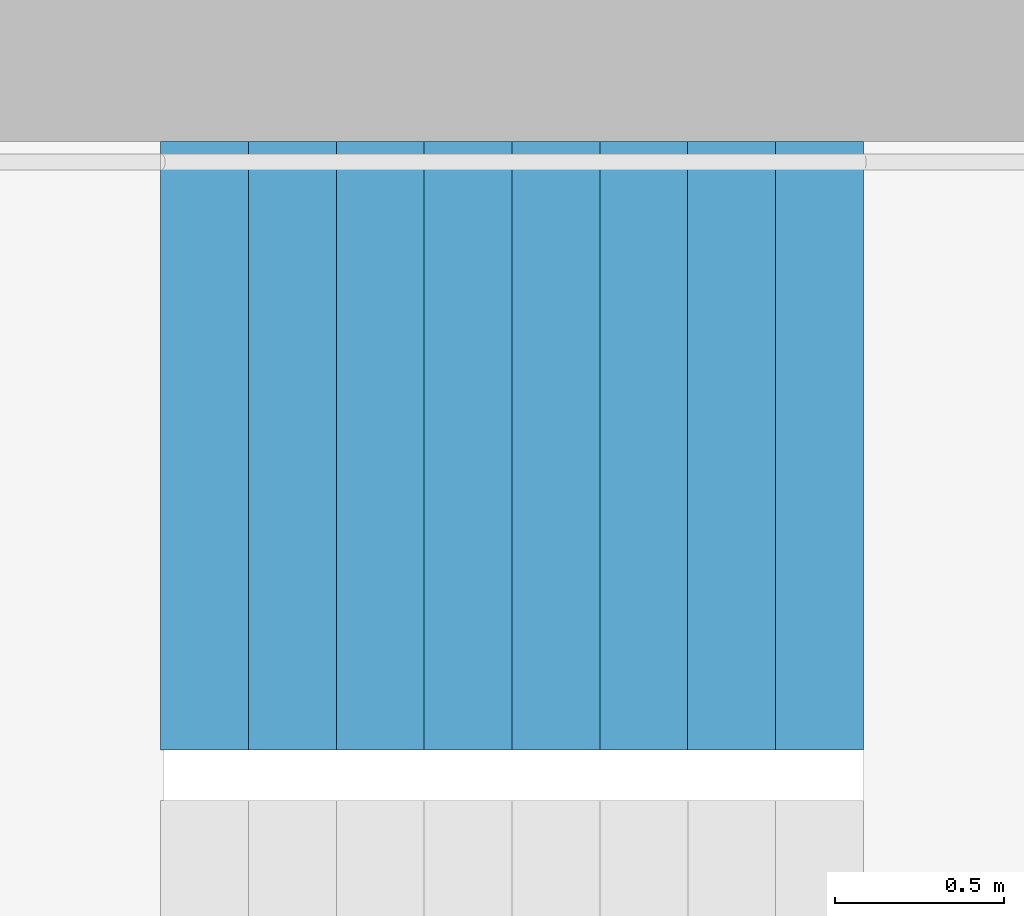
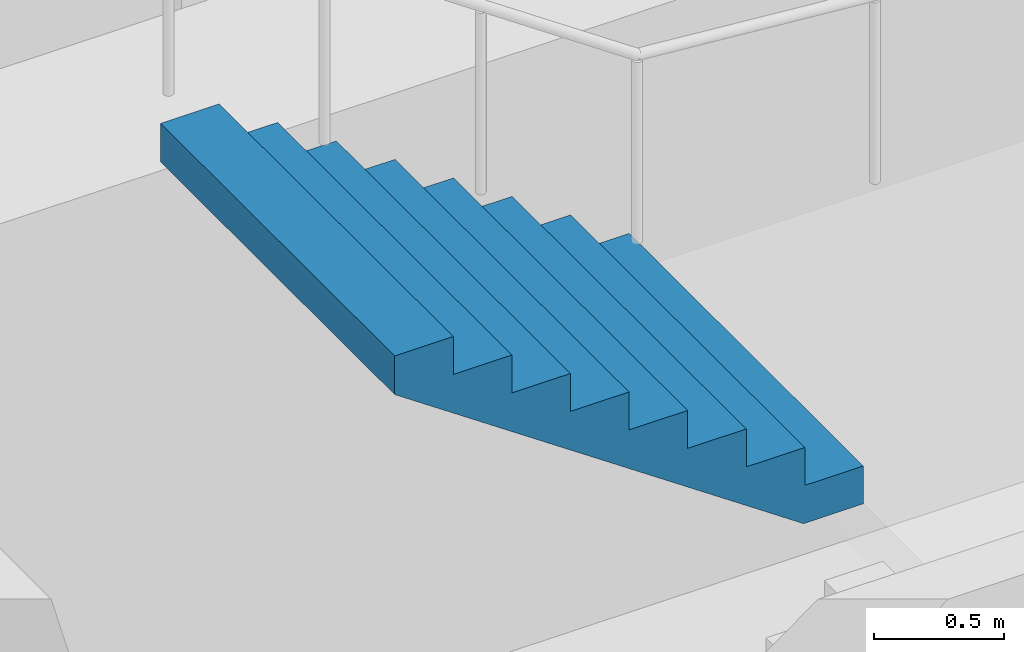
# One storey, part 24 of 29: 1 stair flight, 1 element without a shape of its own.
"""IFC4 building model written with IfcOpenShell, lengths in metres."""

from ifc_helpers import new_model, si_unit, direction, frame, origin, place, context, subcontext, project, spatial, triangles, material, type_object, element, aggregate, save


model = new_model("IFC4")

# Units and contexts
model_context = context("Model", 3, precision=1e-05, world=origin(), true_north=direction((0.0, 1.0)))
body_context = subcontext(model_context, "Body", "Model", "MODEL_VIEW")
ifc_project = project(units=[si_unit("LENGTHUNIT", "METRE"), si_unit("AREAUNIT", "SQUARE_METRE"), si_unit("VOLUMEUNIT", "CUBIC_METRE"), si_unit("PLANEANGLEUNIT", "RADIAN"), si_unit("MASSUNIT", "GRAM", prefix="KILO")], contexts=[model_context])

# Site, building, storey
site_placement = place(None, origin())
site = spatial("IfcSite", under=ifc_project, at=site_placement, CompositionType="ELEMENT")
building_placement = place(site_placement, origin())
building = spatial("IfcBuilding", under=site, at=building_placement, Name="Hakoniwa Tower and Hamabe Station Hall", CompositionType="ELEMENT")
storey_placement = place(building_placement, frame((0.0, 0.0, 75.39990234375)))
storey = spatial("IfcBuildingStorey", under=building, at=storey_placement, Name="L20", CompositionType="ELEMENT", Elevation=75.39990234375)

# Stair, stair flight
ifc_material_1 = material(Name="Concrete C40", Category="concrete")
stair_type = type_object("IfcStairType", Name="ESCAPE STAIR 1800", PredefinedType="HALF_TURN_STAIR", material=ifc_material_1)
stair_placement = place(storey_placement, origin())
stair = element("IfcStair", 1, at=stair_placement, inside=storey, type_object=stair_type, Name="Escape stair ST-1 L20", PredefinedType="HALF_TURN_STAIR")
ifc_material_2 = material(Name="Concrete C40", Category="concrete")
stair_flight_type = type_object("IfcStairFlightType", Name="STAIR FLIGHT 1800", PredefinedType="STRAIGHT", material=ifc_material_2)
stair_flight_placement = place(storey_placement, frame((-22.320068359375, 6.60009765625, 1.60009765625), z_axis=(0.0, 0.0, 1.0), x_axis=(-1.0, 0.0, 0.0)))
stair_flight = element("IfcStairFlight", 2, at=stair_flight_placement, type_object=stair_flight_type, Name="ST-1 flight 2", NumberOfRisers=9, NumberOfTreads=8, PredefinedType="STRAIGHT", RiserHeight=0.177777778, TreadLength=0.26, context=body_context, shape_type="Tessellation", body=[
    triangles([(0.0, 0.89990234375, 0.0), (0.260009765625, 0.89990234375, 0.0), (0.265625, 0.89990234375, 0.0), (0.52001953125, 0.89990234375, 0.174072265625), (0.780029296875, 0.89990234375, 0.351806640625), (1.0400390625, 0.89990234375, 0.529541015625), (1.300048828125, 0.89990234375, 0.707275390625), (1.56005859375, 0.89990234375, 0.885009765625), (1.820068359375, 0.89990234375, 1.062744140625), (2.080078125, 0.89990234375, 1.24072265625), (2.080078125, 0.89990234375, 1.422119140625), (1.820068359375, 0.89990234375, 1.422119140625), (1.820068359375, 0.89990234375, 1.244384765625), (1.56005859375, 0.89990234375, 1.244384765625), (1.56005859375, 0.89990234375, 1.066650390625), (1.300048828125, 0.89990234375, 1.066650390625), (1.300048828125, 0.89990234375, 0.888916015625), (1.0400390625, 0.89990234375, 0.888916015625), (1.0400390625, 0.89990234375, 0.711181640625), (0.780029296875, 0.89990234375, 0.711181640625), (0.780029296875, 0.89990234375, 0.533447265625), (0.52001953125, 0.89990234375, 0.533447265625), (0.52001953125, 0.89990234375, 0.35546875), (0.265625, 0.89990234375, 0.35546875), (0.260009765625, 0.89990234375, 0.35546875), (0.260009765625, 0.89990234375, 0.177734375), (0.0, 0.89990234375, 0.177734375), (0.0, 0.06005859375, 0.0), (0.260009765625, 0.06005859375, 0.0), (0.265625, 0.06005859375, 0.0), (0.52001953125, 0.06005859375, 0.174072265625), (0.780029296875, 0.06005859375, 0.351806640625), (1.0400390625, 0.06005859375, 0.529541015625), (1.300048828125, 0.06005859375, 0.707275390625), (1.56005859375, 0.06005859375, 0.885009765625), (1.820068359375, 0.06005859375, 1.062744140625), (2.080078125, 0.06005859375, 1.24072265625), (2.080078125, 0.06005859375, 1.422119140625), (1.820068359375, 0.06005859375, 1.422119140625), (1.820068359375, 0.06005859375, 1.244384765625), (1.56005859375, 0.06005859375, 1.244384765625), (1.56005859375, 0.06005859375, 1.066650390625), (1.300048828125, 0.06005859375, 1.066650390625), (1.300048828125, 0.06005859375, 0.888916015625), (1.0400390625, 0.06005859375, 0.888916015625), (1.0400390625, 0.06005859375, 0.711181640625), (0.780029296875, 0.06005859375, 0.711181640625), (0.780029296875, 0.06005859375, 0.533447265625), (0.52001953125, 0.06005859375, 0.533447265625), (0.52001953125, 0.06005859375, 0.35546875), (0.265625, 0.06005859375, 0.35546875), (0.260009765625, 0.06005859375, 0.35546875), (0.260009765625, 0.06005859375, 0.177734375), (0.0, 0.06005859375, 0.177734375), (0.0, 0.04296875, 0.0), (0.260009765625, 0.04296875, 0.0), (0.265625, 0.04296875, 0.0), (0.52001953125, 0.04296875, 0.174072265625), (0.780029296875, 0.04296875, 0.351806640625), (1.0400390625, 0.04296875, 0.529541015625), (1.300048828125, 0.04296875, 0.707275390625), (1.56005859375, 0.04296875, 0.885009765625), (1.820068359375, 0.04296875, 1.062744140625), (2.080078125, 0.04296875, 1.24072265625), (2.080078125, 0.04296875, 1.422119140625), (1.820068359375, 0.04296875, 1.422119140625), (1.820068359375, 0.04296875, 1.244384765625), (1.56005859375, 0.04296875, 1.244384765625), (1.56005859375, 0.04296875, 1.066650390625), (1.300048828125, 0.04296875, 1.066650390625), (1.300048828125, 0.04296875, 0.888916015625), (1.0400390625, 0.04296875, 0.888916015625), (1.0400390625, 0.04296875, 0.711181640625), (0.780029296875, 0.04296875, 0.711181640625), (0.780029296875, 0.04296875, 0.533447265625), (0.52001953125, 0.04296875, 0.533447265625), (0.52001953125, 0.04296875, 0.35546875), (0.265625, 0.04296875, 0.35546875), (0.260009765625, 0.04296875, 0.35546875), (0.260009765625, 0.04296875, 0.177734375), (0.0, 0.04296875, 0.177734375), (0.0, 0.025634765625, 0.0), (0.260009765625, 0.025634765625, 0.0), (0.265625, 0.025634765625, 0.0), (0.52001953125, 0.025634765625, 0.174072265625), (0.780029296875, 0.025634765625, 0.351806640625), (1.0400390625, 0.025634765625, 0.529541015625), (1.300048828125, 0.025634765625, 0.707275390625), (1.56005859375, 0.025634765625, 0.885009765625), (1.820068359375, 0.025634765625, 1.062744140625), (2.080078125, 0.025634765625, 1.24072265625), (2.080078125, 0.025634765625, 1.422119140625), (1.820068359375, 0.025634765625, 1.422119140625), (1.820068359375, 0.025634765625, 1.244384765625), (1.56005859375, 0.025634765625, 1.244384765625), (1.56005859375, 0.025634765625, 1.066650390625), (1.300048828125, 0.025634765625, 1.066650390625), (1.300048828125, 0.025634765625, 0.888916015625), (1.0400390625, 0.025634765625, 0.888916015625), (1.0400390625, 0.025634765625, 0.711181640625), (0.780029296875, 0.025634765625, 0.711181640625), (0.780029296875, 0.025634765625, 0.533447265625), (0.52001953125, 0.025634765625, 0.533447265625), (0.52001953125, 0.025634765625, 0.35546875), (0.265625, 0.025634765625, 0.35546875), (0.260009765625, 0.025634765625, 0.35546875), (0.260009765625, 0.025634765625, 0.177734375), (0.0, 0.025634765625, 0.177734375), (0.0, 0.008544921875, 0.0), (0.260009765625, 0.008544921875, 0.0), (0.265625, 0.008544921875, 0.0), (0.52001953125, 0.008544921875, 0.174072265625), (0.780029296875, 0.008544921875, 0.351806640625), (1.0400390625, 0.008544921875, 0.529541015625), (1.300048828125, 0.008544921875, 0.707275390625), (1.56005859375, 0.008544921875, 0.885009765625), (1.820068359375, 0.008544921875, 1.062744140625), (2.080078125, 0.008544921875, 1.24072265625), (2.080078125, 0.008544921875, 1.422119140625), (1.820068359375, 0.008544921875, 1.422119140625), (1.820068359375, 0.008544921875, 1.244384765625), (1.56005859375, 0.008544921875, 1.244384765625), (1.56005859375, 0.008544921875, 1.066650390625), (1.300048828125, 0.008544921875, 1.066650390625), (1.300048828125, 0.008544921875, 0.888916015625), (1.0400390625, 0.008544921875, 0.888916015625), (1.0400390625, 0.008544921875, 0.711181640625), (0.780029296875, 0.008544921875, 0.711181640625), (0.780029296875, 0.008544921875, 0.533447265625), (0.52001953125, 0.008544921875, 0.533447265625), (0.52001953125, 0.008544921875, 0.35546875), (0.265625, 0.008544921875, 0.35546875), (0.260009765625, 0.008544921875, 0.35546875), (0.260009765625, 0.008544921875, 0.177734375), (0.0, 0.008544921875, 0.177734375), (0.0, -0.008544921875, 0.0), (0.260009765625, -0.008544921875, 0.0), (0.265625, -0.008544921875, 0.0), (0.52001953125, -0.008544921875, 0.174072265625), (0.780029296875, -0.008544921875, 0.351806640625), (1.0400390625, -0.008544921875, 0.529541015625), (1.300048828125, -0.008544921875, 0.707275390625), (1.56005859375, -0.008544921875, 0.885009765625), (1.820068359375, -0.008544921875, 1.062744140625), (2.080078125, -0.008544921875, 1.24072265625), (2.080078125, -0.008544921875, 1.422119140625), (1.820068359375, -0.008544921875, 1.422119140625), (1.820068359375, -0.008544921875, 1.244384765625), (1.56005859375, -0.008544921875, 1.244384765625), (1.56005859375, -0.008544921875, 1.066650390625), (1.300048828125, -0.008544921875, 1.066650390625), (1.300048828125, -0.008544921875, 0.888916015625), (1.0400390625, -0.008544921875, 0.888916015625), (1.0400390625, -0.008544921875, 0.711181640625), (0.780029296875, -0.008544921875, 0.711181640625), (0.780029296875, -0.008544921875, 0.533447265625), (0.52001953125, -0.008544921875, 0.533447265625), (0.52001953125, -0.008544921875, 0.35546875), (0.265625, -0.008544921875, 0.35546875), (0.260009765625, -0.008544921875, 0.35546875), (0.260009765625, -0.008544921875, 0.177734375), (0.0, -0.008544921875, 0.177734375), (0.0, -0.025634765625, 0.0), (0.260009765625, -0.025634765625, 0.0), (0.265625, -0.025634765625, 0.0), (0.52001953125, -0.025634765625, 0.174072265625), (0.780029296875, -0.025634765625, 0.351806640625), (1.0400390625, -0.025634765625, 0.529541015625), (1.300048828125, -0.025634765625, 0.707275390625), (1.56005859375, -0.025634765625, 0.885009765625), (1.820068359375, -0.025634765625, 1.062744140625), (2.080078125, -0.025634765625, 1.24072265625), (2.080078125, -0.025634765625, 1.422119140625), (1.820068359375, -0.025634765625, 1.422119140625), (1.820068359375, -0.025634765625, 1.244384765625), (1.56005859375, -0.025634765625, 1.244384765625), (1.56005859375, -0.025634765625, 1.066650390625), (1.300048828125, -0.025634765625, 1.066650390625), (1.300048828125, -0.025634765625, 0.888916015625), (1.0400390625, -0.025634765625, 0.888916015625), (1.0400390625, -0.025634765625, 0.711181640625), (0.780029296875, -0.025634765625, 0.711181640625), (0.780029296875, -0.025634765625, 0.533447265625), (0.52001953125, -0.025634765625, 0.533447265625), (0.52001953125, -0.025634765625, 0.35546875), (0.265625, -0.025634765625, 0.35546875), (0.260009765625, -0.025634765625, 0.35546875), (0.260009765625, -0.025634765625, 0.177734375), (0.0, -0.025634765625, 0.177734375), (0.0, -0.04296875, 0.0), (0.260009765625, -0.04296875, 0.0), (0.265625, -0.04296875, 0.0), (0.52001953125, -0.04296875, 0.174072265625), (0.780029296875, -0.04296875, 0.351806640625), (1.0400390625, -0.04296875, 0.529541015625), (1.300048828125, -0.04296875, 0.707275390625), (1.56005859375, -0.04296875, 0.885009765625), (1.820068359375, -0.04296875, 1.062744140625), (2.080078125, -0.04296875, 1.24072265625), (2.080078125, -0.04296875, 1.422119140625), (1.820068359375, -0.04296875, 1.422119140625), (1.820068359375, -0.04296875, 1.244384765625), (1.56005859375, -0.04296875, 1.244384765625), (1.56005859375, -0.04296875, 1.066650390625), (1.300048828125, -0.04296875, 1.066650390625), (1.300048828125, -0.04296875, 0.888916015625), (1.0400390625, -0.04296875, 0.888916015625), (1.0400390625, -0.04296875, 0.711181640625), (0.780029296875, -0.04296875, 0.711181640625), (0.780029296875, -0.04296875, 0.533447265625), (0.52001953125, -0.04296875, 0.533447265625), (0.52001953125, -0.04296875, 0.35546875), (0.265625, -0.04296875, 0.35546875), (0.260009765625, -0.04296875, 0.35546875), (0.260009765625, -0.04296875, 0.177734375), (0.0, -0.04296875, 0.177734375), (0.0, -0.06005859375, 0.0), (0.260009765625, -0.06005859375, 0.0), (0.265625, -0.06005859375, 0.0), (0.52001953125, -0.06005859375, 0.174072265625), (0.780029296875, -0.06005859375, 0.351806640625), (1.0400390625, -0.06005859375, 0.529541015625), (1.300048828125, -0.06005859375, 0.707275390625), (1.56005859375, -0.06005859375, 0.885009765625), (1.820068359375, -0.06005859375, 1.062744140625), (2.080078125, -0.06005859375, 1.24072265625), (2.080078125, -0.06005859375, 1.422119140625), (1.820068359375, -0.06005859375, 1.422119140625), (1.820068359375, -0.06005859375, 1.244384765625), (1.56005859375, -0.06005859375, 1.244384765625), (1.56005859375, -0.06005859375, 1.066650390625), (1.300048828125, -0.06005859375, 1.066650390625), (1.300048828125, -0.06005859375, 0.888916015625), (1.0400390625, -0.06005859375, 0.888916015625), (1.0400390625, -0.06005859375, 0.711181640625), (0.780029296875, -0.06005859375, 0.711181640625), (0.780029296875, -0.06005859375, 0.533447265625), (0.52001953125, -0.06005859375, 0.533447265625), (0.52001953125, -0.06005859375, 0.35546875), (0.265625, -0.06005859375, 0.35546875), (0.260009765625, -0.06005859375, 0.35546875), (0.260009765625, -0.06005859375, 0.177734375), (0.0, -0.06005859375, 0.177734375), (0.0, -0.89990234375, 0.0), (0.260009765625, -0.89990234375, 0.0), (0.265625, -0.89990234375, 0.0), (0.52001953125, -0.89990234375, 0.174072265625), (0.780029296875, -0.89990234375, 0.351806640625), (1.0400390625, -0.89990234375, 0.529541015625), (1.300048828125, -0.89990234375, 0.707275390625), (1.56005859375, -0.89990234375, 0.885009765625), (1.820068359375, -0.89990234375, 1.062744140625), (2.080078125, -0.89990234375, 1.24072265625), (2.080078125, -0.89990234375, 1.422119140625), (1.820068359375, -0.89990234375, 1.422119140625), (1.820068359375, -0.89990234375, 1.244384765625), (1.56005859375, -0.89990234375, 1.244384765625), (1.56005859375, -0.89990234375, 1.066650390625), (1.300048828125, -0.89990234375, 1.066650390625), (1.300048828125, -0.89990234375, 0.888916015625), (1.0400390625, -0.89990234375, 0.888916015625), (1.0400390625, -0.89990234375, 0.711181640625), (0.780029296875, -0.89990234375, 0.711181640625), (0.780029296875, -0.89990234375, 0.533447265625), (0.52001953125, -0.89990234375, 0.533447265625), (0.52001953125, -0.89990234375, 0.35546875), (0.265625, -0.89990234375, 0.35546875), (0.260009765625, -0.89990234375, 0.35546875), (0.260009765625, -0.89990234375, 0.177734375), (0.0, -0.89990234375, 0.177734375)], [[2, 27, 26], [245, 269, 270], [2, 1, 27], [245, 270, 244], [3, 25, 24], [246, 267, 268], [3, 26, 25], [246, 268, 269], [3, 2, 26], [246, 269, 245], [4, 24, 23], [247, 266, 267], [4, 3, 24], [247, 267, 246], [5, 22, 21], [248, 264, 265], [5, 23, 22], [248, 265, 266], [5, 4, 23], [248, 266, 247], [6, 20, 19], [249, 262, 263], [6, 21, 20], [249, 263, 264], [6, 5, 21], [249, 264, 248], [7, 18, 17], [250, 260, 261], [7, 19, 18], [250, 261, 262], [7, 6, 19], [250, 262, 249], [8, 16, 15], [251, 258, 259], [8, 17, 16], [251, 259, 260], [8, 7, 17], [251, 260, 250], [9, 14, 13], [252, 256, 257], [9, 15, 14], [252, 257, 258], [9, 8, 15], [252, 258, 251], [10, 12, 11], [253, 254, 255], [10, 13, 12], [253, 255, 256], [10, 9, 13], [253, 256, 252], [1, 2, 29], [1, 29, 28], [28, 29, 56], [28, 56, 55], [55, 56, 83], [55, 83, 82], [82, 83, 110], [82, 110, 109], [109, 110, 137], [109, 137, 136], [136, 137, 164], [136, 164, 163], [163, 164, 191], [163, 191, 190], [190, 191, 218], [190, 218, 217], [217, 218, 245], [217, 245, 244], [2, 3, 30], [2, 30, 29], [29, 30, 57], [29, 57, 56], [56, 57, 84], [56, 84, 83], [83, 84, 111], [83, 111, 110], [110, 111, 138], [110, 138, 137], [137, 138, 165], [137, 165, 164], [164, 165, 192], [164, 192, 191], [191, 192, 219], [191, 219, 218], [218, 219, 246], [218, 246, 245], [3, 4, 31], [3, 31, 30], [30, 31, 58], [30, 58, 57], [57, 58, 85], [57, 85, 84], [84, 85, 112], [84, 112, 111], [111, 112, 139], [111, 139, 138], [138, 139, 166], [138, 166, 165], [165, 166, 193], [165, 193, 192], [192, 193, 220], [192, 220, 219], [219, 220, 247], [219, 247, 246], [4, 5, 32], [4, 32, 31], [31, 32, 59], [31, 59, 58], [58, 59, 86], [58, 86, 85], [85, 86, 113], [85, 113, 112], [112, 113, 140], [112, 140, 139], [139, 140, 167], [139, 167, 166], [166, 167, 194], [166, 194, 193], [193, 194, 221], [193, 221, 220], [220, 221, 248], [220, 248, 247], [5, 6, 33], [5, 33, 32], [32, 33, 60], [32, 60, 59], [59, 60, 87], [59, 87, 86], [86, 87, 114], [86, 114, 113], [113, 114, 141], [113, 141, 140], [140, 141, 168], [140, 168, 167], [167, 168, 195], [167, 195, 194], [194, 195, 222], [194, 222, 221], [221, 222, 249], [221, 249, 248], [6, 7, 34], [6, 34, 33], [33, 34, 61], [33, 61, 60], [60, 61, 88], [60, 88, 87], [87, 88, 115], [87, 115, 114], [114, 115, 142], [114, 142, 141], [141, 142, 169], [141, 169, 168], [168, 169, 196], [168, 196, 195], [195, 196, 223], [195, 223, 222], [222, 223, 250], [222, 250, 249], [7, 8, 35], [7, 35, 34], [34, 35, 62], [34, 62, 61], [61, 62, 89], [61, 89, 88], [88, 89, 116], [88, 116, 115], [115, 116, 143], [115, 143, 142], [142, 143, 170], [142, 170, 169], [169, 170, 197], [169, 197, 196], [196, 197, 224], [196, 224, 223], [223, 224, 251], [223, 251, 250], [8, 9, 36], [8, 36, 35], [35, 36, 63], [35, 63, 62], [62, 63, 90], [62, 90, 89], [89, 90, 117], [89, 117, 116], [116, 117, 144], [116, 144, 143], [143, 144, 171], [143, 171, 170], [170, 171, 198], [170, 198, 197], [197, 198, 225], [197, 225, 224], [224, 225, 252], [224, 252, 251], [9, 10, 37], [9, 37, 36], [36, 37, 64], [36, 64, 63], [63, 64, 91], [63, 91, 90], [90, 91, 118], [90, 118, 117], [117, 118, 145], [117, 145, 144], [144, 145, 172], [144, 172, 171], [171, 172, 199], [171, 199, 198], [198, 199, 226], [198, 226, 225], [225, 226, 253], [225, 253, 252], [10, 11, 38], [10, 38, 37], [37, 38, 65], [37, 65, 64], [64, 65, 92], [64, 92, 91], [91, 92, 119], [91, 119, 118], [118, 119, 146], [118, 146, 145], [145, 146, 173], [145, 173, 172], [172, 173, 200], [172, 200, 199], [199, 200, 227], [199, 227, 226], [226, 227, 254], [226, 254, 253], [11, 12, 39], [11, 39, 38], [38, 39, 66], [38, 66, 65], [65, 66, 93], [65, 93, 92], [92, 93, 120], [92, 120, 119], [119, 120, 147], [119, 147, 146], [146, 147, 174], [146, 174, 173], [173, 174, 201], [173, 201, 200], [200, 201, 228], [200, 228, 227], [227, 228, 255], [227, 255, 254], [12, 13, 40], [12, 40, 39], [39, 40, 67], [39, 67, 66], [66, 67, 94], [66, 94, 93], [93, 94, 121], [93, 121, 120], [120, 121, 148], [120, 148, 147], [147, 148, 175], [147, 175, 174], [174, 175, 202], [174, 202, 201], [201, 202, 229], [201, 229, 228], [228, 229, 256], [228, 256, 255], [13, 14, 41], [13, 41, 40], [40, 41, 68], [40, 68, 67], [67, 68, 95], [67, 95, 94], [94, 95, 122], [94, 122, 121], [121, 122, 149], [121, 149, 148], [148, 149, 176], [148, 176, 175], [175, 176, 203], [175, 203, 202], [202, 203, 230], [202, 230, 229], [229, 230, 257], [229, 257, 256], [14, 15, 42], [14, 42, 41], [41, 42, 69], [41, 69, 68], [68, 69, 96], [68, 96, 95], [95, 96, 123], [95, 123, 122], [122, 123, 150], [122, 150, 149], [149, 150, 177], [149, 177, 176], [176, 177, 204], [176, 204, 203], [203, 204, 231], [203, 231, 230], [230, 231, 258], [230, 258, 257], [15, 16, 43], [15, 43, 42], [42, 43, 70], [42, 70, 69], [69, 70, 97], [69, 97, 96], [96, 97, 124], [96, 124, 123], [123, 124, 151], [123, 151, 150], [150, 151, 178], [150, 178, 177], [177, 178, 205], [177, 205, 204], [204, 205, 232], [204, 232, 231], [231, 232, 259], [231, 259, 258], [16, 17, 44], [16, 44, 43], [43, 44, 71], [43, 71, 70], [70, 71, 98], [70, 98, 97], [97, 98, 125], [97, 125, 124], [124, 125, 152], [124, 152, 151], [151, 152, 179], [151, 179, 178], [178, 179, 206], [178, 206, 205], [205, 206, 233], [205, 233, 232], [232, 233, 260], [232, 260, 259], [17, 18, 45], [17, 45, 44], [44, 45, 72], [44, 72, 71], [71, 72, 99], [71, 99, 98], [98, 99, 126], [98, 126, 125], [125, 126, 153], [125, 153, 152], [152, 153, 180], [152, 180, 179], [179, 180, 207], [179, 207, 206], [206, 207, 234], [206, 234, 233], [233, 234, 261], [233, 261, 260], [18, 19, 46], [18, 46, 45], [45, 46, 73], [45, 73, 72], [72, 73, 100], [72, 100, 99], [99, 100, 127], [99, 127, 126], [126, 127, 154], [126, 154, 153], [153, 154, 181], [153, 181, 180], [180, 181, 208], [180, 208, 207], [207, 208, 235], [207, 235, 234], [234, 235, 262], [234, 262, 261], [19, 20, 47], [19, 47, 46], [46, 47, 74], [46, 74, 73], [73, 74, 101], [73, 101, 100], [100, 101, 128], [100, 128, 127], [127, 128, 155], [127, 155, 154], [154, 155, 182], [154, 182, 181], [181, 182, 209], [181, 209, 208], [208, 209, 236], [208, 236, 235], [235, 236, 263], [235, 263, 262], [20, 21, 48], [20, 48, 47], [47, 48, 75], [47, 75, 74], [74, 75, 102], [74, 102, 101], [101, 102, 129], [101, 129, 128], [128, 129, 156], [128, 156, 155], [155, 156, 183], [155, 183, 182], [182, 183, 210], [182, 210, 209], [209, 210, 237], [209, 237, 236], [236, 237, 264], [236, 264, 263], [21, 22, 49], [21, 49, 48], [48, 49, 76], [48, 76, 75], [75, 76, 103], [75, 103, 102], [102, 103, 130], [102, 130, 129], [129, 130, 157], [129, 157, 156], [156, 157, 184], [156, 184, 183], [183, 184, 211], [183, 211, 210], [210, 211, 238], [210, 238, 237], [237, 238, 265], [237, 265, 264], [22, 23, 50], [22, 50, 49], [49, 50, 77], [49, 77, 76], [76, 77, 104], [76, 104, 103], [103, 104, 131], [103, 131, 130], [130, 131, 158], [130, 158, 157], [157, 158, 185], [157, 185, 184], [184, 185, 212], [184, 212, 211], [211, 212, 239], [211, 239, 238], [238, 239, 266], [238, 266, 265], [23, 24, 51], [23, 51, 50], [50, 51, 78], [50, 78, 77], [77, 78, 105], [77, 105, 104], [104, 105, 132], [104, 132, 131], [131, 132, 159], [131, 159, 158], [158, 159, 186], [158, 186, 185], [185, 186, 213], [185, 213, 212], [212, 213, 240], [212, 240, 239], [239, 240, 267], [239, 267, 266], [24, 25, 52], [24, 52, 51], [51, 52, 79], [51, 79, 78], [78, 79, 106], [78, 106, 105], [105, 106, 133], [105, 133, 132], [132, 133, 160], [132, 160, 159], [159, 160, 187], [159, 187, 186], [186, 187, 214], [186, 214, 213], [213, 214, 241], [213, 241, 240], [240, 241, 268], [240, 268, 267], [25, 26, 53], [25, 53, 52], [52, 53, 80], [52, 80, 79], [79, 80, 107], [79, 107, 106], [106, 107, 134], [106, 134, 133], [133, 134, 161], [133, 161, 160], [160, 161, 188], [160, 188, 187], [187, 188, 215], [187, 215, 214], [214, 215, 242], [214, 242, 241], [241, 242, 269], [241, 269, 268], [26, 27, 54], [26, 54, 53], [53, 54, 81], [53, 81, 80], [80, 81, 108], [80, 108, 107], [107, 108, 135], [107, 135, 134], [134, 135, 162], [134, 162, 161], [161, 162, 189], [161, 189, 188], [188, 189, 216], [188, 216, 215], [215, 216, 243], [215, 243, 242], [242, 243, 270], [242, 270, 269], [27, 1, 28], [27, 28, 54], [54, 28, 55], [54, 55, 81], [81, 55, 82], [81, 82, 108], [108, 82, 109], [108, 109, 135], [135, 109, 136], [135, 136, 162], [162, 136, 163], [162, 163, 189], [189, 163, 190], [189, 190, 216], [216, 190, 217], [216, 217, 243], [243, 217, 244], [243, 244, 270]], closed=True),
])
aggregate(stair, [stair_flight])

save(model, "model.ifc")
